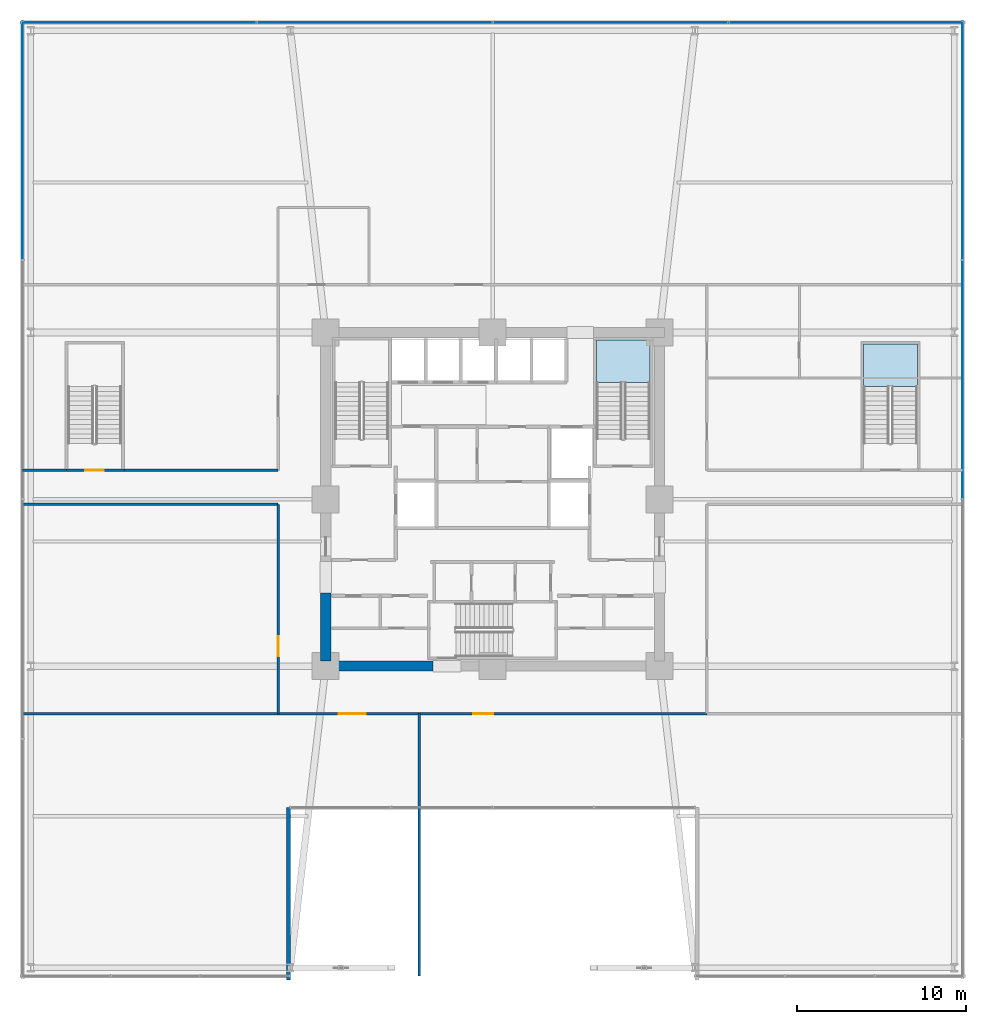
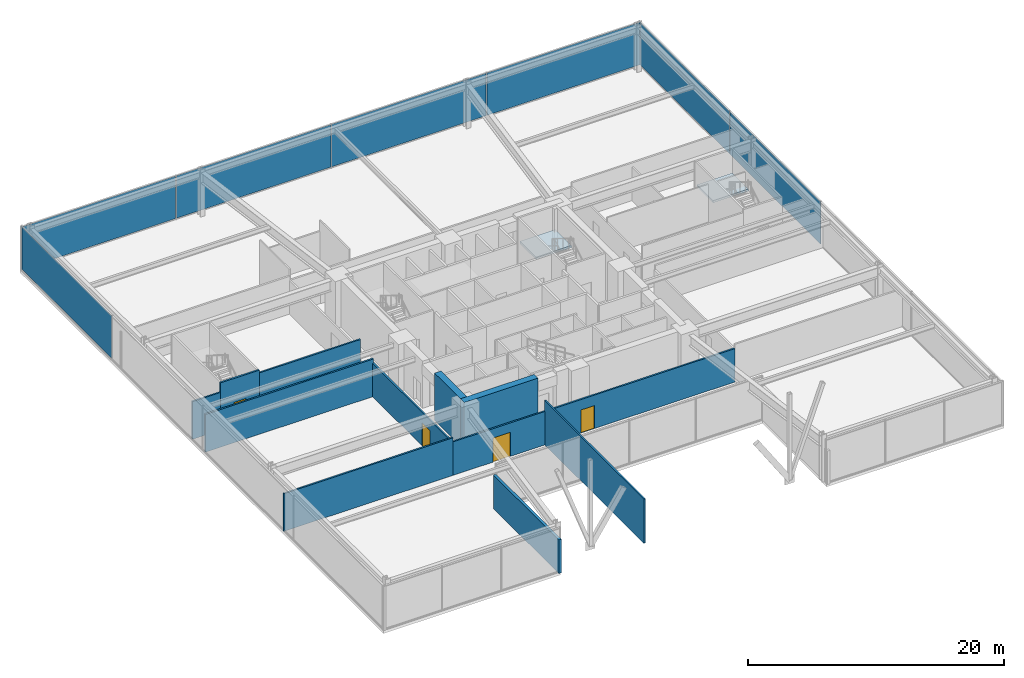
# One storey, part 40 of 47: 11 walls, 7 plates, 4 doors, 2 slabs, 4 openings, 5 elements without a shape of their own.
"""IFC4 building model written with IfcOpenShell, lengths in metres."""

from ifc_helpers import new_model, si_unit, direction, frame, frame_2d, origin, origin_2d, place, context, subcontext, project, spatial, polyline, rectangle, outline, extrude, material, layer, layer_set, type_object, element, fill, aggregate, save


model = new_model("IFC4")

# Units and contexts
model_context = context("Model", 3, precision=1e-05, world=origin(), true_north=direction((0.0, 1.0)))
body_context = subcontext(model_context, "Body", "Model", "MODEL_VIEW")
ifc_project = project(units=[si_unit("LENGTHUNIT", "METRE"), si_unit("AREAUNIT", "SQUARE_METRE"), si_unit("VOLUMEUNIT", "CUBIC_METRE"), si_unit("PLANEANGLEUNIT", "RADIAN"), si_unit("MASSUNIT", "GRAM", prefix="KILO")], contexts=[model_context])

# Site, building, storey
site_placement = place(None, origin())
site = spatial("IfcSite", under=ifc_project, at=site_placement, CompositionType="ELEMENT")
building_placement = place(site_placement, origin())
building = spatial("IfcBuilding", under=site, at=building_placement, Name="Kolvaren Belvedere", CompositionType="ELEMENT")
storey_placement = place(building_placement, frame((0.0, 0.0, 5.5)))
storey = spatial("IfcBuildingStorey", under=building, at=storey_placement, Name="L02", CompositionType="ELEMENT", Elevation=5.5)

# Curtain wall, plates
ifc_material_1 = material(Name="Anodised pale-metal aluminium AA 6063-T6", Category="aluminium")
curtain_wall_type = type_object("IfcCurtainWallType", Name="CW-POD-A", PredefinedType="NOTDEFINED", material=ifc_material_1)
curtain_wall_1_placement = place(storey_placement, origin())
curtain_wall_1 = element("IfcCurtainWall", 1, at=curtain_wall_1_placement, inside=storey, type_object=curtain_wall_type, Name="L02 Unitised Curtain Wall FCW-L02-SEG6", PredefinedType="NOTDEFINED")
ifc_material_2 = material(Name="Low-iron laminated vision glass", Category="glass")
ifc_layer_1 = layer(ifc_material_2, 0.031982421875)
ifc_layer_set_1 = layer_set([ifc_layer_1], Name="Low-iron laminated vision glass")
plate_type = type_object("IfcPlateType", Name="CW-PNL-VIS32", PredefinedType="CURTAIN_PANEL", material=ifc_layer_set_1)
plate_1_placement = place(storey_placement, frame((27.8798828125, 21.300048828125, 0.080078125), z_axis=(0.0, 0.0, 1.0), x_axis=(0.0, -1.0, 0.0)))
plate_1 = element("IfcPlate", 2, at=plate_1_placement, type_object=plate_type, Name="FCW-L02-SEG6 Vision Glazing Panel 1", PredefinedType="CURTAIN_PANEL", context=body_context, shape_type="SweptSolid", body=[
    extrude(rectangle(XDim=14.1201171875, YDim=0.031982421875, at=origin_2d()), origin(), (0.0, 0.0, 1.0), 4.06005859375),
])
plate_2_placement = place(storey_placement, frame((27.8798828125, 7.10009765625, 0.080078125), z_axis=(0.0, 0.0, 1.0), x_axis=(0.0, -1.0, 0.0)))
plate_2 = element("IfcPlate", 3, at=plate_2_placement, type_object=plate_type, Name="FCW-L02-SEG6 Vision Glazing Panel 2", PredefinedType="CURTAIN_PANEL", context=body_context, shape_type="SweptSolid", body=[
    extrude(rectangle(XDim=14.1201171875, YDim=0.031982421875, at=origin_2d()), origin(), (0.0, 0.0, 1.0), 4.06005859375),
])
aggregate(curtain_wall_1, [plate_1, plate_2])

curtain_wall_2_placement = place(storey_placement, origin())
curtain_wall_2 = element("IfcCurtainWall", 4, at=curtain_wall_2_placement, inside=storey, type_object=curtain_wall_type, Name="L02 Unitised Curtain Wall FCW-L02-SEG7", PredefinedType="NOTDEFINED")
plate_3_placement = place(storey_placement, frame((-21.0, 28.280029296875, 0.080078125), z_axis=(0.0, 0.0, 1.0), x_axis=(1.0, 0.0, 0.0)))
plate_3 = element("IfcPlate", 5, at=plate_3_placement, type_object=plate_type, Name="FCW-L02-SEG7 Vision Glazing Panel 1", PredefinedType="CURTAIN_PANEL", context=body_context, shape_type="SweptSolid", body=[
    extrude(rectangle(XDim=13.919921875, YDim=0.031982421875, at=origin_2d()), origin(), (0.0, 0.0, 1.0), 4.06005859375),
])
plate_4_placement = place(storey_placement, frame((-7.0, 28.280029296875, 0.080078125), z_axis=(0.0, 0.0, 1.0), x_axis=(1.0, 0.0, 0.0)))
plate_4 = element("IfcPlate", 6, at=plate_4_placement, type_object=plate_type, Name="FCW-L02-SEG7 Vision Glazing Panel 2", PredefinedType="CURTAIN_PANEL", context=body_context, shape_type="SweptSolid", body=[
    extrude(rectangle(XDim=13.919921875, YDim=0.031982421875, at=origin_2d()), origin(), (0.0, 0.0, 1.0), 4.06005859375),
])
plate_5_placement = place(storey_placement, frame((7.0, 28.280029296875, 0.080078125), z_axis=(0.0, 0.0, 1.0), x_axis=(1.0, 0.0, 0.0)))
plate_5 = element("IfcPlate", 7, at=plate_5_placement, type_object=plate_type, Name="FCW-L02-SEG7 Vision Glazing Panel 3", PredefinedType="CURTAIN_PANEL", context=body_context, shape_type="SweptSolid", body=[
    extrude(rectangle(XDim=13.919921875, YDim=0.031982421875, at=origin_2d()), origin(), (0.0, 0.0, 1.0), 4.06005859375),
])
plate_6_placement = place(storey_placement, frame((21.0, 28.280029296875, 0.080078125), z_axis=(0.0, 0.0, 1.0), x_axis=(1.0, 0.0, 0.0)))
plate_6 = element("IfcPlate", 8, at=plate_6_placement, type_object=plate_type, Name="FCW-L02-SEG7 Vision Glazing Panel 4", PredefinedType="CURTAIN_PANEL", context=body_context, shape_type="SweptSolid", body=[
    extrude(rectangle(XDim=13.919921875, YDim=0.031982421875, at=origin_2d()), origin(), (0.0, 0.0, 1.0), 4.06005859375),
])
aggregate(curtain_wall_2, [plate_3, plate_4, plate_5, plate_6])

# Curtain wall, plate
curtain_wall_3_placement = place(storey_placement, origin())
curtain_wall_3 = element("IfcCurtainWall", 9, at=curtain_wall_3_placement, inside=storey, type_object=curtain_wall_type, Name="L02 Unitised Curtain Wall FCW-L02-SEG8", PredefinedType="NOTDEFINED")
plate_7_placement = place(storey_placement, frame((-27.8798828125, 21.300048828125, 0.080078125), z_axis=(0.0, 0.0, 1.0), x_axis=(0.0, 1.0, 0.0)))
plate_7 = element("IfcPlate", 10, at=plate_7_placement, type_object=plate_type, Name="FCW-L02-SEG8 Vision Glazing Panel 4", PredefinedType="CURTAIN_PANEL", context=body_context, shape_type="SweptSolid", body=[
    extrude(rectangle(XDim=14.1201171875, YDim=0.031982421875, at=origin_2d()), origin(), (0.0, 0.0, 1.0), 4.06005859375),
])
aggregate(curtain_wall_3, [plate_7])

# Stair, slab
ifc_material_3 = material(Name="Concrete C50/60", Category="concrete")
stair_type_1 = type_object("IfcStairType", Name="ST-CORE-1520", PredefinedType="HALF_TURN_STAIR", material=ifc_material_3)
stair_1_placement = place(storey_placement, origin())
stair_1 = element("IfcStair", 11, at=stair_1_placement, inside=storey, type_object=stair_type_1, Name="L02 Protected Exit Stair ST-2", PredefinedType="HALF_TURN_STAIR")
ifc_material_4 = material(Name="Concrete C50/60", Category="concrete")
ifc_layer_2 = layer(ifc_material_4, 0.260009765625)
ifc_layer_set_2 = layer_set([ifc_layer_2], Name="Concrete C50/60")
slab_type = type_object("IfcSlabType", Name="SL-LAND-260", PredefinedType="LANDING", material=ifc_layer_set_2)
slab_1_placement = place(storey_placement, frame((0.0, 0.0, 2.050048828125)))
slab_1 = element("IfcSlab", 12, at=slab_1_placement, type_object=slab_type, Name="ST-2 landing 1", PredefinedType="LANDING", context=body_context, shape_type="SweptSolid", body=[
    extrude(outline(polyline([(9.35009765625, 6.929931640625), (9.35009765625, 9.449951171875), (6.159912109375, 9.449951171875), (6.159912109375, 6.929931640625), (9.35009765625, 6.929931640625)])), origin(), (0.0, 0.0, 1.0), 0.199951171875),
])
aggregate(stair_1, [slab_1])

ifc_material_5 = material(Name="Concrete C50/60", Category="concrete")
stair_type_2 = type_object("IfcStairType", Name="ST-POD-1520", PredefinedType="HALF_TURN_STAIR", material=ifc_material_5)
stair_2_placement = place(storey_placement, origin())
stair_2 = element("IfcStair", 13, at=stair_2_placement, inside=storey, type_object=stair_type_2, Name="L02 Podium Exit Stair ST-P2", PredefinedType="HALF_TURN_STAIR")
slab_2_placement = place(storey_placement, frame((0.0, 0.0, 2.050048828125)))
slab_2 = element("IfcSlab", 14, at=slab_2_placement, type_object=slab_type, Name="ST-P2 landing 1", PredefinedType="LANDING", context=body_context, shape_type="SweptSolid", body=[
    extrude(outline(polyline([(25.199951171875, 6.679931640625), (25.199951171875, 9.199951171875), (22.010009765625, 9.199951171875), (22.010009765625, 6.679931640625), (25.199951171875, 6.679931640625)])), origin(), (0.0, 0.0, 1.0), 0.199951171875),
])
aggregate(stair_2, [slab_2])

# Walls
ifc_material_6 = material(Name="Concrete C60/75", Category="concrete")
ifc_layer_3 = layer(ifc_material_6, 0.60009765625)
ifc_layer_set_3 = layer_set([ifc_layer_3], Name="Concrete C60/75")
wall_type_1 = type_object("IfcWallType", Name="CW-CORE-600", PredefinedType="SHEAR", material=ifc_layer_set_3)
wall_1_placement = place(storey_placement, frame((-3.5400390625, -9.89990234375, 0.0), z_axis=(0.0, 0.0, 1.0), x_axis=(-1.0, 0.0, 0.0)))
element("IfcWall", 15, at=wall_1_placement, inside=storey, type_object=wall_type_1, Name="L02 South Core Shear Wall 2", PredefinedType="SHEAR", context=body_context, shape_type="SweptSolid", body=[
    extrude(rectangle(XDim=6.659912109375, YDim=0.60009765625, at=frame_2d((3.330078125, 0.0))), origin(), (0.0, 0.0, 1.0), 4.5),
])
wall_2_placement = place(storey_placement, frame((-9.89990234375, -9.60009765625, 0.0), z_axis=(0.0, 0.0, 1.0), x_axis=(0.0, 1.0, 0.0)))
element("IfcWall", 16, at=wall_2_placement, inside=storey, type_object=wall_type_1, Name="L02 West Core Shear Wall 1", PredefinedType="SHEAR", context=body_context, shape_type="SweptSolid", body=[
    extrude(rectangle(XDim=4.050048828125, YDim=0.60009765625, at=frame_2d((2.02490234375, 0.0))), origin(), (0.0, 0.0, 1.0), 4.5),
])

# Wall, opening, door
ifc_material_7 = material(Name="Concrete C50/60", Category="concrete")
ifc_layer_4 = layer(ifc_material_7, 0.159912109375)
ifc_layer_set_4 = layer_set([ifc_layer_4], Name="Concrete C50/60")
wall_type_2 = type_object("IfcWallType", Name="CW-STAIR-160", PredefinedType="SHEAR", material=ifc_layer_set_4)
wall_3_placement = place(storey_placement, frame((-25.360107421875, 1.719970703125, 0.0), z_axis=(0.0, 0.0, 1.0), x_axis=(1.0, 0.0, 0.0)))
wall_3 = element("IfcWall", 17, at=wall_3_placement, inside=storey, type_object=wall_type_2, Name="L02 Stair ST-P1 South Shear Wall", PredefinedType="SHEAR", context=body_context, shape_type="SweptSolid", body=[
    extrude(rectangle(XDim=3.510009765625, YDim=0.159912109375, at=frame_2d((1.7548828125, 0.0))), origin(), (0.0, 0.0, 1.0), 4.5),
])
opening_1_placement = place(wall_3_placement, frame((1.199951171875, 0.0, 0.0)))
opening_1 = element("IfcOpeningElement", 18, at=opening_1_placement, cuts=wall_3, Name="Opening D-FD90", PredefinedType="OPENING", context=body_context, shape_type="SweptSolid", body=[
    extrude(rectangle(XDim=1.10009765625, YDim=2.199951171875, at=frame_2d((0.550048828125, 1.10009765625))), frame((0.0, 0.08984375, 0.0), z_axis=(0.0, -1.0, 0.0), x_axis=(1.0, 0.0, 0.0)), (0.0, 0.0, 1.0), 0.179931640625),
])
ifc_material_8 = material(Name="Painted hollow stainless steel", Category="steel")
door_type_1 = type_object("IfcDoorType", Name="DR-FD90-1100", OperationType="NOTDEFINED", PredefinedType="DOOR", material=ifc_material_8)
door_1_placement = place(opening_1_placement, origin())
door_1 = element("IfcDoor", 19, at=door_1_placement, inside=storey, type_object=door_type_1, Name="L02 Podium Stair ST-P1 Exit Door", OperationType="SINGLE_SWING_LEFT", OverallHeight=2.199951171875, OverallWidth=1.10009765625, PredefinedType="DOOR", context=body_context, shape_type="SweptSolid", body=[
    extrude(rectangle(XDim=1.10009765625, YDim=2.199951171875, at=frame_2d((0.550048828125, 1.10009765625))), frame((0.0, 0.02490234375, 0.0), z_axis=(0.0, -1.0, 0.0), x_axis=(1.0, 0.0, 0.0)), (0.0, 0.0, 1.0), 0.050048828125),
])
fill(opening_1, door_1)

# Wall, openings, doors
ifc_material_9 = material(Name="Gypsum fire-rated partition assembly", Category="gypsum")
ifc_layer_5 = layer(ifc_material_9, 0.14990234375)
ifc_layer_set_5 = layer_set([ifc_layer_5], Name="Gypsum fire-rated partition assembly")
wall_type_3 = type_object("IfcWallType", Name="WL-CORR-150", PredefinedType="PARTITIONING", material=ifc_layer_set_5)
wall_4_placement = place(storey_placement, frame((-12.719970703125, -12.719970703125, 0.0), z_axis=(0.0, 0.0, 1.0), x_axis=(1.0, 0.0, 0.0)))
wall_4 = element("IfcWall", 20, at=wall_4_placement, inside=storey, type_object=wall_type_3, Name="L02 South Corridor Wall", PredefinedType="PARTITIONING", context=body_context, shape_type="SweptSolid", body=[
    extrude(rectangle(XDim=25.43994140625, YDim=0.14990234375, at=frame_2d((12.719970703125, 0.0))), origin(), (0.0, 0.0, 1.0), 3.194091796875),
])
opening_2_placement = place(wall_4_placement, frame((3.60009765625, 0.0, 0.0)))
opening_2 = element("IfcOpeningElement", 21, at=opening_2_placement, cuts=wall_4, Name="Opening D-GL16", PredefinedType="OPENING", context=body_context, shape_type="SweptSolid", body=[
    extrude(rectangle(XDim=1.60009765625, YDim=2.300048828125, at=frame_2d((0.800048828125, 1.14990234375))), frame((0.0, 0.0849609375, 0.0), z_axis=(0.0, -1.0, 0.0), x_axis=(1.0, 0.0, 0.0)), (0.0, 0.0, 1.0), 0.169921875),
])
opening_3_placement = place(wall_4_placement, frame((11.570068359375, 0.0, 0.0)))
opening_3 = element("IfcOpeningElement", 22, at=opening_3_placement, cuts=wall_4, Name="Opening D-GL12", PredefinedType="OPENING", context=body_context, shape_type="SweptSolid", body=[
    extrude(rectangle(XDim=1.199951171875, YDim=2.199951171875, at=frame_2d((0.60009765625, 1.10009765625))), frame((0.0, 0.0849609375, 0.0), z_axis=(0.0, -1.0, 0.0), x_axis=(1.0, 0.0, 0.0)), (0.0, 0.0, 1.0), 0.169921875),
])
ifc_material_10 = material(Name="Anodised pale-metal aluminium & safety glass", Category="aluminium")
door_type_2 = type_object("IfcDoorType", Name="DR-GLAZ-1200", OperationType="DOUBLE_DOOR_SINGLE_SWING", PredefinedType="DOOR", material=ifc_material_10)
door_2_placement = place(opening_3_placement, origin())
door_2 = element("IfcDoor", 23, at=door_2_placement, inside=storey, type_object=door_type_2, Name="L02 Specialty Seafood & Grill Salon Door", OperationType="DOUBLE_DOOR_SINGLE_SWING", OverallHeight=2.199951171875, OverallWidth=1.199951171875, PredefinedType="DOOR", context=body_context, shape_type="SweptSolid", body=[
    extrude(rectangle(XDim=1.199951171875, YDim=2.199951171875, at=frame_2d((0.60009765625, 1.10009765625))), frame((0.0, 0.02490234375, 0.0), z_axis=(0.0, -1.0, 0.0), x_axis=(1.0, 0.0, 0.0)), (0.0, 0.0, 1.0), 0.050048828125),
])
fill(opening_3, door_2)
ifc_material_11 = material(Name="Anodised pale-metal aluminium & safety glass", Category="aluminium")
door_type_3 = type_object("IfcDoorType", Name="DR-GLAZ-1600", OperationType="DOUBLE_DOOR_SINGLE_SWING", PredefinedType="DOOR", material=ifc_material_11)
door_3_placement = place(opening_2_placement, origin())
door_3 = element("IfcDoor", 24, at=door_3_placement, inside=storey, type_object=door_type_3, Name="L02 Mezzanine Portal Overlook Dining Hall Door", OperationType="DOUBLE_DOOR_SINGLE_SWING", OverallHeight=2.300048828125, OverallWidth=1.60009765625, PredefinedType="DOOR", context=body_context, shape_type="SweptSolid", body=[
    extrude(rectangle(XDim=1.60009765625, YDim=2.300048828125, at=frame_2d((0.800048828125, 1.14990234375))), frame((0.0, 0.02490234375, 0.0), z_axis=(0.0, -1.0, 0.0), x_axis=(1.0, 0.0, 0.0)), (0.0, 0.0, 1.0), 0.050048828125),
])
fill(opening_2, door_3)

# Wall, opening, door
wall_5_placement = place(storey_placement, frame((-12.719970703125, -12.719970703125, 0.0), z_axis=(0.0, 0.0, 1.0), x_axis=(0.0, 1.0, 0.0)))
wall_5 = element("IfcWall", 25, at=wall_5_placement, inside=storey, type_object=wall_type_3, Name="L02 West Corridor Wall S", PredefinedType="PARTITIONING", context=body_context, shape_type="SweptSolid", body=[
    extrude(rectangle(XDim=12.419921875, YDim=0.14990234375, at=frame_2d((6.2099609375, 0.0))), origin(), (0.0, 0.0, 1.0), 3.194091796875),
])
opening_4_placement = place(wall_5_placement, frame((3.39990234375, 0.0, 0.0)))
opening_4 = element("IfcOpeningElement", 26, at=opening_4_placement, cuts=wall_5, Name="Opening D-GL12", PredefinedType="OPENING", context=body_context, shape_type="SweptSolid", body=[
    extrude(rectangle(XDim=1.199951171875, YDim=2.199951171875, at=frame_2d((0.60009765625, 1.10009765625))), frame((0.0, 0.0849609375, 0.0), z_axis=(0.0, -1.0, 0.0), x_axis=(1.0, 0.0, 0.0)), (0.0, 0.0, 1.0), 0.169921875),
])
door_4_placement = place(opening_4_placement, origin())
door_4 = element("IfcDoor", 27, at=door_4_placement, inside=storey, type_object=door_type_2, Name="L02 South-West Pre-Function Lounge Door", OperationType="DOUBLE_DOOR_SINGLE_SWING", OverallHeight=2.199951171875, OverallWidth=1.199951171875, PredefinedType="DOOR", context=body_context, shape_type="SweptSolid", body=[
    extrude(rectangle(XDim=1.199951171875, YDim=2.199951171875, at=frame_2d((0.60009765625, 1.10009765625))), frame((0.0, 0.02490234375, 0.0), z_axis=(0.0, -1.0, 0.0), x_axis=(1.0, 0.0, 0.0)), (0.0, 0.0, 1.0), 0.050048828125),
])
fill(opening_4, door_4)

# Walls
wall_6_placement = place(storey_placement, frame((-27.8798828125, -0.300048828125, 0.0), z_axis=(0.0, 0.0, 1.0), x_axis=(1.0, 0.0, 0.0)))
element("IfcWall", 28, at=wall_6_placement, inside=storey, type_object=wall_type_3, Name="L02 West Stair Spur South Wall", PredefinedType="PARTITIONING", context=body_context, shape_type="SweptSolid", body=[
    extrude(rectangle(XDim=15.159912109375, YDim=0.14990234375, at=frame_2d((7.580078125, 0.0))), origin(), (0.0, 0.0, 1.0), 3.589111328125),
])
wall_7_placement = place(storey_placement, frame((-27.8798828125, 1.719970703125, 0.0), z_axis=(0.0, 0.0, 1.0), x_axis=(1.0, 0.0, 0.0)))
element("IfcWall", 29, at=wall_7_placement, inside=storey, type_object=wall_type_3, Name="L02 West Stair Spur End Wall", PredefinedType="PARTITIONING", context=body_context, shape_type="SweptSolid", body=[
    extrude(rectangle(XDim=2.599853515625, YDim=0.14990234375, at=frame_2d((1.2998046875, 0.0))), origin(), (0.0, 0.0, 1.0), 3.589111328125),
])
wall_8_placement = place(storey_placement, frame((-21.929931640625, 1.719970703125, 0.0), z_axis=(0.0, 0.0, 1.0), x_axis=(1.0, 0.0, 0.0)))
element("IfcWall", 30, at=wall_8_placement, inside=storey, type_object=wall_type_3, Name="L02 West Stair Spur North Wall", PredefinedType="PARTITIONING", context=body_context, shape_type="SweptSolid", body=[
    extrude(rectangle(XDim=9.2099609375, YDim=0.14990234375, at=frame_2d((4.60498046875, 0.0))), origin(), (0.0, 0.0, 1.0), 4.219970703125),
])
wall_9_placement = place(storey_placement, frame((-27.97998046875, -12.719970703125, 0.0), z_axis=(0.0, 0.0, 1.0), x_axis=(1.0, 0.0, 0.0)))
element("IfcWall", 31, at=wall_9_placement, inside=storey, type_object=wall_type_3, Name="L02 Sector Wall PW-L02-QSW", PredefinedType="PARTITIONING", context=body_context, shape_type="SweptSolid", body=[
    extrude(rectangle(XDim=15.260009765625, YDim=0.14990234375, at=frame_2d((7.6298828125, 0.0))), origin(), (0.0, 0.0, 1.0), 3.589111328125),
])
ifc_material_12 = material(Name="Insulated pale-metal facade wall assembly", Category="aluminium")
ifc_layer_6 = layer(ifc_material_12, 0.239990234375)
ifc_layer_set_6 = layer_set([ifc_layer_6], Name="Insulated pale-metal facade wall assembly")
wall_type_4 = type_object("IfcWallType", Name="WL-EXT-240", PredefinedType="STANDARD", material=ifc_layer_set_6)
wall_10_placement = place(storey_placement, frame((-12.1201171875, -18.280029296875, 0.0), z_axis=(0.0, 0.0, 1.0), x_axis=(0.0, -1.0, 0.0)))
element("IfcWall", 32, at=wall_10_placement, inside=storey, type_object=wall_type_4, Name="L02 Serrated Corner Facade Wall 2", PredefinedType="STANDARD", context=body_context, shape_type="SweptSolid", body=[
    extrude(rectangle(XDim=10.239990234375, YDim=0.239990234375, at=frame_2d((5.1201171875, 0.0))), origin(), (0.0, 0.0, 1.0), 3.2041015625),
])
ifc_material_13 = material(Name="Gypsum acoustic partition assembly", Category="gypsum")
ifc_layer_7 = layer(ifc_material_13, 0.14990234375)
ifc_layer_set_7 = layer_set([ifc_layer_7], Name="Gypsum acoustic partition assembly")
wall_type_5 = type_object("IfcWallType", Name="WL-PART-150", PredefinedType="PARTITIONING", material=ifc_layer_set_7)
wall_11_placement = place(storey_placement, frame((-4.35009765625, -28.280029296875, 0.0), z_axis=(0.0, 0.0, 1.0), x_axis=(0.0, 1.0, 0.0)))
element("IfcWall", 33, at=wall_11_placement, inside=storey, type_object=wall_type_5, Name="L02 South Salon Divider", PredefinedType="PARTITIONING", context=body_context, shape_type="SweptSolid", body=[
    extrude(rectangle(XDim=15.56005859375, YDim=0.14990234375, at=frame_2d((7.780029296875, 0.0))), origin(), (0.0, 0.0, 1.0), 4.219970703125),
])

save(model, "model.ifc")
